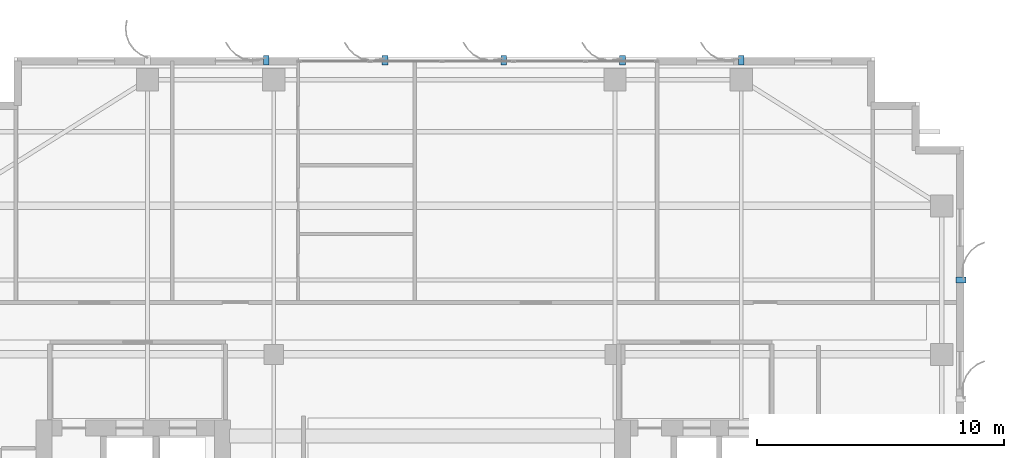
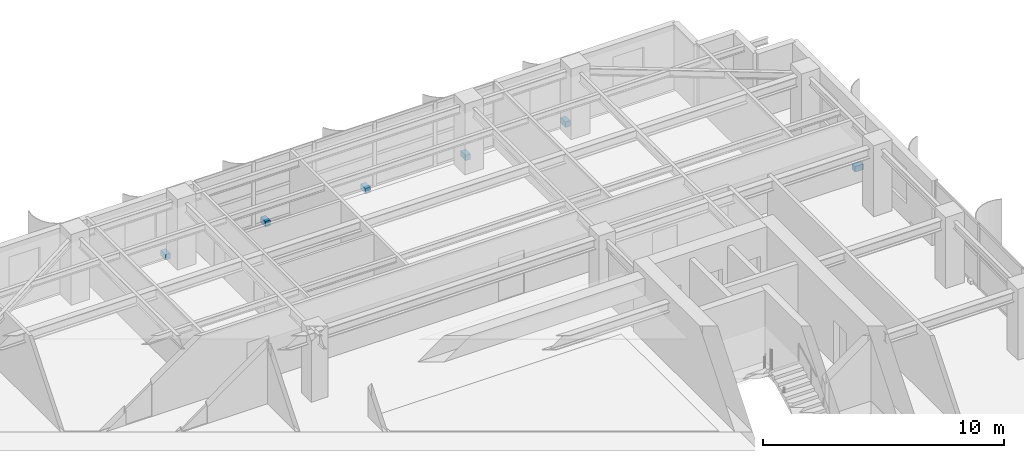
# One storey, part 22 of 25: 6 discrete accessories.
"""IFC4 building model written with IfcOpenShell, lengths in metres."""

from ifc_helpers import new_model, si_unit, direction, frame, origin, origin_2d, place, context, subcontext, project, spatial, rectangle, extrude, source, transform, mapped, material, type_object, element, save


model = new_model("IFC4")

# Units and contexts
model_context = context("Model", 3, precision=1e-05, world=origin(), true_north=direction((0.0, 1.0)))
body_context = subcontext(model_context, "Body", "Model", "MODEL_VIEW")
ifc_project = project(units=[si_unit("LENGTHUNIT", "METRE"), si_unit("AREAUNIT", "SQUARE_METRE"), si_unit("VOLUMEUNIT", "CUBIC_METRE"), si_unit("PLANEANGLEUNIT", "RADIAN"), si_unit("MASSUNIT", "GRAM", prefix="KILO")], contexts=[model_context])

# Site, building, storey
site_placement = place(None, origin())
site = spatial("IfcSite", under=ifc_project, at=site_placement, CompositionType="ELEMENT")
building_placement = place(site_placement, origin())
building = spatial("IfcBuilding", under=site, at=building_placement, Name="Khoralis Quay Care Tower", CompositionType="ELEMENT")
storey_placement = place(building_placement, frame((0.0, 0.0, 216.89990234375)))
storey = spatial("IfcBuildingStorey", under=building, at=storey_placement, Name="L57", CompositionType="ELEMENT", Elevation=216.89990234375)

# Discrete accessories
ifc_material = material(Name="Brushed stainless steel", Category="steel")
discrete_accessory_type = type_object("IfcDiscreteAccessoryType", Name="ACC-FIN-BRACKET", PredefinedType="BRACKET", material=ifc_material)
shared_shape = source(origin(), body_context, "Body", "SweptSolid", [
    extrude(rectangle(XDim=0.39990234375, YDim=0.239990234375, at=origin_2d()), origin(), (0.0, 0.0, 1.0), 0.280029296875),
])
for number, where, z_axis, x_axis, name in (
    (1, (44.889892578125, 33.0, -0.1201171875), (0.0, 0.0, 1.0), (1.0, 0.0, 0.0), "L57 Solar Fin Bracket P1E5-06"),
    (2, (36.0, 41.889892578125, -0.1201171875), (0.0, 0.0, 1.0), (0.0, 1.0, 0.0), "L57 Solar Fin Bracket P1E10-01"),
    (3, (31.199951171875, 41.889892578125, -0.1201171875), (0.0, 0.0, 1.0), (0.0, 1.0, 0.0), "L57 Solar Fin Bracket P1E10-02"),
    (4, (26.39990234375, 41.889892578125, -0.1201171875), (0.0, 0.0, 1.0), (0.0, 1.0, 0.0), "L57 Solar Fin Bracket P1E10-03"),
    (5, (21.60009765625, 41.889892578125, -0.1201171875), (0.0, 0.0, 1.0), (0.0, 1.0, 0.0), "L57 Solar Fin Bracket P1E10-04"),
    (6, (16.800048828125, 41.889892578125, -0.1201171875), (0.0, 0.0, 1.0), (0.0, 1.0, 0.0), "L57 Solar Fin Bracket P1E10-05"),
):
    element("IfcDiscreteAccessory", number, at=place(storey_placement, frame(where, z_axis=z_axis, x_axis=x_axis)), inside=storey, type_object=discrete_accessory_type, Name=name, PredefinedType="BRACKET", context=body_context, shape_type="MappedRepresentation", body=[
        mapped(shared_shape, transform((0.0, 0.0, 0.0), scale=1.0)),
    ])

save(model, "model.ifc")
